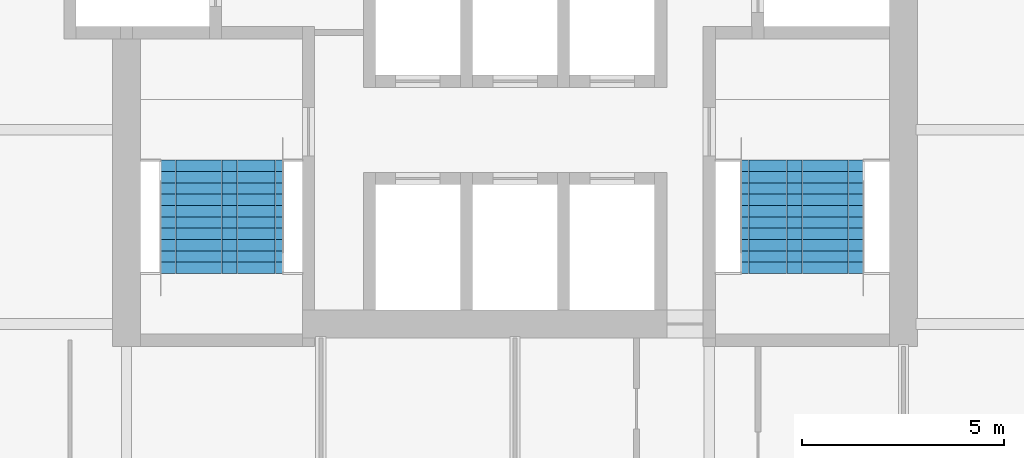
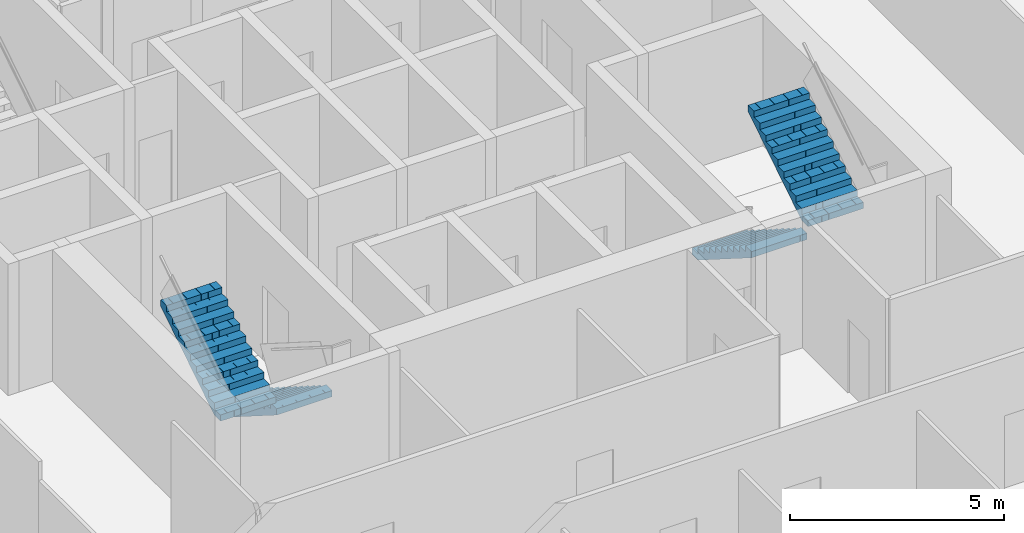
# One storey, part 13 of 16: 4 stair flights, 2 elements without a shape of their own.
"""IFC4 building model written with IfcOpenShell, lengths in metres."""

from ifc_helpers import new_model, si_unit, direction, frame, origin, place, context, subcontext, project, spatial, polyline, outline, extrude, material, type_object, element, aggregate, save


model = new_model("IFC4")

# Units and contexts
model_context = context("Model", 3, precision=1e-05, world=origin(), true_north=direction((0.0, 1.0)))
body_context = subcontext(model_context, "Body", "Model", "MODEL_VIEW")
ifc_project = project(units=[si_unit("LENGTHUNIT", "METRE"), si_unit("AREAUNIT", "SQUARE_METRE"), si_unit("VOLUMEUNIT", "CUBIC_METRE"), si_unit("PLANEANGLEUNIT", "RADIAN"), si_unit("MASSUNIT", "GRAM", prefix="KILO")], contexts=[model_context])

# Site, building, storey
site_placement = place(None, origin())
site = spatial("IfcSite", under=ifc_project, at=site_placement, CompositionType="ELEMENT")
building_placement = place(site_placement, origin())
building = spatial("IfcBuilding", under=site, at=building_placement, Name="Kolab Exchange Tower", CompositionType="ELEMENT")
storey_placement = place(building_placement, frame((0.0, 0.0, 146.60009765625)))
storey = spatial("IfcBuildingStorey", under=building, at=storey_placement, Name="L29", CompositionType="ELEMENT", Elevation=146.60009765625)

# Stair, stair flights
ifc_material = material(Name="Concrete C50/60", Category="concrete")
stair_type_1 = type_object("IfcStairType", Name="STAIR ST3 RISER 177.3", PredefinedType="HALF_TURN_STAIR", material=ifc_material)
stair_1_placement = place(storey_placement, origin())
stair_1 = element("IfcStair", 1, at=stair_1_placement, inside=storey, type_object=stair_type_1, Name="Stair 3", PredefinedType="HALF_TURN_STAIR")
stair_flight_type = type_object("IfcStairFlightType", Name="STAIR FLIGHT 1500 RISER 177.3", PredefinedType="STRAIGHT", material=ifc_material)
stair_flight_1_placement = place(storey_placement, frame((-6.489990234375, -5.550048828125, 0.0), z_axis=(0.0, 0.0, 1.0), x_axis=(0.0, -1.0, 0.0)))
stair_flight_1 = element("IfcStairFlight", 2, at=stair_flight_1_placement, type_object=stair_flight_type, Name="ST3 flight 1", NumberOfRisers=11, NumberOfTreads=10, PredefinedType="STRAIGHT", RiserHeight=0.177272727, TreadLength=0.28, context=body_context, shape_type="SweptSolid", body=[
    extrude(outline(polyline([(0.0, 0.0), (0.0, 0.17724609375), (0.280029296875, 0.17724609375), (0.280029296875, 0.3544921875), (0.56005859375, 0.3544921875), (0.56005859375, 0.53173828125), (0.840087890625, 0.53173828125), (0.840087890625, 0.708984375), (1.1201171875, 0.708984375), (1.1201171875, 0.886474609375), (1.39990234375, 0.886474609375), (1.39990234375, 1.063720703125), (1.679931640625, 1.063720703125), (1.679931640625, 1.240966796875), (1.9599609375, 1.240966796875), (1.9599609375, 1.418212890625), (2.239990234375, 1.418212890625), (2.239990234375, 1.595458984375), (2.52001953125, 1.595458984375), (2.52001953125, 1.772705078125), (2.800048828125, 1.772705078125), (2.800048828125, 1.949951171875), (2.800048828125, 1.59521484375), (0.2802734375, 0.0), (0.0, 0.0)])), frame((0.0, 0.75, 0.0), z_axis=(0.0, -1.0, 0.0), x_axis=(1.0, 0.0, 0.0)), (0.0, 0.0, 1.0), 0.185791015625),
    extrude(outline(polyline([(0.0, 0.0), (0.0, 0.17724609375), (0.280029296875, 0.17724609375), (0.280029296875, 0.3544921875), (0.56005859375, 0.3544921875), (0.56005859375, 0.53173828125), (0.840087890625, 0.53173828125), (0.840087890625, 0.708984375), (1.1201171875, 0.708984375), (1.1201171875, 0.886474609375), (1.39990234375, 0.886474609375), (1.39990234375, 1.063720703125), (1.679931640625, 1.063720703125), (1.679931640625, 1.240966796875), (1.9599609375, 1.240966796875), (1.9599609375, 1.418212890625), (2.239990234375, 1.418212890625), (2.239990234375, 1.595458984375), (2.52001953125, 1.595458984375), (2.52001953125, 1.772705078125), (2.800048828125, 1.772705078125), (2.800048828125, 1.949951171875), (2.800048828125, 1.59521484375), (0.2802734375, 0.0), (0.0, 0.0)])), frame((0.0, 0.562255859375, 0.0), z_axis=(0.0, -1.0, 0.0), x_axis=(1.0, 0.0, 0.0)), (0.0, 0.0, 1.0), 0.185791015625),
    extrude(outline(polyline([(0.0, 0.0), (0.0, 0.17724609375), (0.280029296875, 0.17724609375), (0.280029296875, 0.3544921875), (0.56005859375, 0.3544921875), (0.56005859375, 0.53173828125), (0.840087890625, 0.53173828125), (0.840087890625, 0.708984375), (1.1201171875, 0.708984375), (1.1201171875, 0.886474609375), (1.39990234375, 0.886474609375), (1.39990234375, 1.063720703125), (1.679931640625, 1.063720703125), (1.679931640625, 1.240966796875), (1.9599609375, 1.240966796875), (1.9599609375, 1.418212890625), (2.239990234375, 1.418212890625), (2.239990234375, 1.595458984375), (2.52001953125, 1.595458984375), (2.52001953125, 1.772705078125), (2.800048828125, 1.772705078125), (2.800048828125, 1.949951171875), (2.800048828125, 1.59521484375), (0.2802734375, 0.0), (0.0, 0.0)])), frame((0.0, 0.37451171875, 0.0), z_axis=(0.0, -1.0, 0.0), x_axis=(1.0, 0.0, 0.0)), (0.0, 0.0, 1.0), 0.185791015625),
    extrude(outline(polyline([(0.0, 0.0), (0.0, 0.17724609375), (0.280029296875, 0.17724609375), (0.280029296875, 0.3544921875), (0.56005859375, 0.3544921875), (0.56005859375, 0.53173828125), (0.840087890625, 0.53173828125), (0.840087890625, 0.708984375), (1.1201171875, 0.708984375), (1.1201171875, 0.886474609375), (1.39990234375, 0.886474609375), (1.39990234375, 1.063720703125), (1.679931640625, 1.063720703125), (1.679931640625, 1.240966796875), (1.9599609375, 1.240966796875), (1.9599609375, 1.418212890625), (2.239990234375, 1.418212890625), (2.239990234375, 1.595458984375), (2.52001953125, 1.595458984375), (2.52001953125, 1.772705078125), (2.800048828125, 1.772705078125), (2.800048828125, 1.949951171875), (2.800048828125, 1.59521484375), (0.2802734375, 0.0), (0.0, 0.0)])), frame((0.0, 0.186767578125, 0.0), z_axis=(0.0, -1.0, 0.0), x_axis=(1.0, 0.0, 0.0)), (0.0, 0.0, 1.0), 0.185791015625),
    extrude(outline(polyline([(0.0, 0.0), (0.0, 0.17724609375), (0.280029296875, 0.17724609375), (0.280029296875, 0.3544921875), (0.56005859375, 0.3544921875), (0.56005859375, 0.53173828125), (0.840087890625, 0.53173828125), (0.840087890625, 0.708984375), (1.1201171875, 0.708984375), (1.1201171875, 0.886474609375), (1.39990234375, 0.886474609375), (1.39990234375, 1.063720703125), (1.679931640625, 1.063720703125), (1.679931640625, 1.240966796875), (1.9599609375, 1.240966796875), (1.9599609375, 1.418212890625), (2.239990234375, 1.418212890625), (2.239990234375, 1.595458984375), (2.52001953125, 1.595458984375), (2.52001953125, 1.772705078125), (2.800048828125, 1.772705078125), (2.800048828125, 1.949951171875), (2.800048828125, 1.59521484375), (0.2802734375, 0.0), (0.0, 0.0)])), frame((0.0, -0.0009765625, 0.0), z_axis=(0.0, -1.0, 0.0), x_axis=(1.0, 0.0, 0.0)), (0.0, 0.0, 1.0), 0.185791015625),
    extrude(outline(polyline([(0.0, 0.0), (0.0, 0.17724609375), (0.280029296875, 0.17724609375), (0.280029296875, 0.3544921875), (0.56005859375, 0.3544921875), (0.56005859375, 0.53173828125), (0.840087890625, 0.53173828125), (0.840087890625, 0.708984375), (1.1201171875, 0.708984375), (1.1201171875, 0.886474609375), (1.39990234375, 0.886474609375), (1.39990234375, 1.063720703125), (1.679931640625, 1.063720703125), (1.679931640625, 1.240966796875), (1.9599609375, 1.240966796875), (1.9599609375, 1.418212890625), (2.239990234375, 1.418212890625), (2.239990234375, 1.595458984375), (2.52001953125, 1.595458984375), (2.52001953125, 1.772705078125), (2.800048828125, 1.772705078125), (2.800048828125, 1.949951171875), (2.800048828125, 1.59521484375), (0.2802734375, 0.0), (0.0, 0.0)])), frame((0.0, -0.188720703125, 0.0), z_axis=(0.0, -1.0, 0.0), x_axis=(1.0, 0.0, 0.0)), (0.0, 0.0, 1.0), 0.185791015625),
    extrude(outline(polyline([(0.0, 0.0), (0.0, 0.17724609375), (0.280029296875, 0.17724609375), (0.280029296875, 0.3544921875), (0.56005859375, 0.3544921875), (0.56005859375, 0.53173828125), (0.840087890625, 0.53173828125), (0.840087890625, 0.708984375), (1.1201171875, 0.708984375), (1.1201171875, 0.886474609375), (1.39990234375, 0.886474609375), (1.39990234375, 1.063720703125), (1.679931640625, 1.063720703125), (1.679931640625, 1.240966796875), (1.9599609375, 1.240966796875), (1.9599609375, 1.418212890625), (2.239990234375, 1.418212890625), (2.239990234375, 1.595458984375), (2.52001953125, 1.595458984375), (2.52001953125, 1.772705078125), (2.800048828125, 1.772705078125), (2.800048828125, 1.949951171875), (2.800048828125, 1.59521484375), (0.2802734375, 0.0), (0.0, 0.0)])), frame((0.0, -0.37646484375, 0.0), z_axis=(0.0, -1.0, 0.0), x_axis=(1.0, 0.0, 0.0)), (0.0, 0.0, 1.0), 0.185791015625),
    extrude(outline(polyline([(0.0, 0.0), (0.0, 0.17724609375), (0.280029296875, 0.17724609375), (0.280029296875, 0.3544921875), (0.56005859375, 0.3544921875), (0.56005859375, 0.53173828125), (0.840087890625, 0.53173828125), (0.840087890625, 0.708984375), (1.1201171875, 0.708984375), (1.1201171875, 0.886474609375), (1.39990234375, 0.886474609375), (1.39990234375, 1.063720703125), (1.679931640625, 1.063720703125), (1.679931640625, 1.240966796875), (1.9599609375, 1.240966796875), (1.9599609375, 1.418212890625), (2.239990234375, 1.418212890625), (2.239990234375, 1.595458984375), (2.52001953125, 1.595458984375), (2.52001953125, 1.772705078125), (2.800048828125, 1.772705078125), (2.800048828125, 1.949951171875), (2.800048828125, 1.59521484375), (0.2802734375, 0.0), (0.0, 0.0)])), frame((0.0, -0.564208984375, 0.0), z_axis=(0.0, -1.0, 0.0), x_axis=(1.0, 0.0, 0.0)), (0.0, 0.0, 1.0), 0.185791015625),
])
stair_flight_2_placement = place(storey_placement, frame((-8.010009765625, -8.35009765625, 1.949951171875), z_axis=(0.0, 0.0, 1.0), x_axis=(0.0, 1.0, 0.0)))
stair_flight_2 = element("IfcStairFlight", 3, at=stair_flight_2_placement, type_object=stair_flight_type, Name="ST3 flight 2", NumberOfRisers=11, NumberOfTreads=10, PredefinedType="STRAIGHT", RiserHeight=0.177272727, TreadLength=0.28, context=body_context, shape_type="SweptSolid", body=[
    extrude(outline(polyline([(0.0, 0.0), (0.0, 0.17724609375), (0.280029296875, 0.17724609375), (0.280029296875, 0.3544921875), (0.56005859375, 0.3544921875), (0.56005859375, 0.53173828125), (0.840087890625, 0.53173828125), (0.840087890625, 0.708984375), (1.1201171875, 0.708984375), (1.1201171875, 0.886474609375), (1.39990234375, 0.886474609375), (1.39990234375, 1.063720703125), (1.679931640625, 1.063720703125), (1.679931640625, 1.240966796875), (1.9599609375, 1.240966796875), (1.9599609375, 1.418212890625), (2.239990234375, 1.418212890625), (2.239990234375, 1.595458984375), (2.52001953125, 1.595458984375), (2.52001953125, 1.772705078125), (2.800048828125, 1.772705078125), (2.800048828125, 1.949951171875), (2.800048828125, 1.59521484375), (0.2802734375, 0.0), (0.0, 0.0)])), frame((0.0, 0.75, 0.0), z_axis=(0.0, -1.0, 0.0), x_axis=(1.0, 0.0, 0.0)), (0.0, 0.0, 1.0), 0.185791015625),
    extrude(outline(polyline([(0.0, 0.0), (0.0, 0.17724609375), (0.280029296875, 0.17724609375), (0.280029296875, 0.3544921875), (0.56005859375, 0.3544921875), (0.56005859375, 0.53173828125), (0.840087890625, 0.53173828125), (0.840087890625, 0.708984375), (1.1201171875, 0.708984375), (1.1201171875, 0.886474609375), (1.39990234375, 0.886474609375), (1.39990234375, 1.063720703125), (1.679931640625, 1.063720703125), (1.679931640625, 1.240966796875), (1.9599609375, 1.240966796875), (1.9599609375, 1.418212890625), (2.239990234375, 1.418212890625), (2.239990234375, 1.595458984375), (2.52001953125, 1.595458984375), (2.52001953125, 1.772705078125), (2.800048828125, 1.772705078125), (2.800048828125, 1.949951171875), (2.800048828125, 1.59521484375), (0.2802734375, 0.0), (0.0, 0.0)])), frame((0.0, 0.562255859375, 0.0), z_axis=(0.0, -1.0, 0.0), x_axis=(1.0, 0.0, 0.0)), (0.0, 0.0, 1.0), 0.185791015625),
    extrude(outline(polyline([(0.0, 0.0), (0.0, 0.17724609375), (0.280029296875, 0.17724609375), (0.280029296875, 0.3544921875), (0.56005859375, 0.3544921875), (0.56005859375, 0.53173828125), (0.840087890625, 0.53173828125), (0.840087890625, 0.708984375), (1.1201171875, 0.708984375), (1.1201171875, 0.886474609375), (1.39990234375, 0.886474609375), (1.39990234375, 1.063720703125), (1.679931640625, 1.063720703125), (1.679931640625, 1.240966796875), (1.9599609375, 1.240966796875), (1.9599609375, 1.418212890625), (2.239990234375, 1.418212890625), (2.239990234375, 1.595458984375), (2.52001953125, 1.595458984375), (2.52001953125, 1.772705078125), (2.800048828125, 1.772705078125), (2.800048828125, 1.949951171875), (2.800048828125, 1.59521484375), (0.2802734375, 0.0), (0.0, 0.0)])), frame((0.0, 0.37451171875, 0.0), z_axis=(0.0, -1.0, 0.0), x_axis=(1.0, 0.0, 0.0)), (0.0, 0.0, 1.0), 0.185791015625),
    extrude(outline(polyline([(0.0, 0.0), (0.0, 0.17724609375), (0.280029296875, 0.17724609375), (0.280029296875, 0.3544921875), (0.56005859375, 0.3544921875), (0.56005859375, 0.53173828125), (0.840087890625, 0.53173828125), (0.840087890625, 0.708984375), (1.1201171875, 0.708984375), (1.1201171875, 0.886474609375), (1.39990234375, 0.886474609375), (1.39990234375, 1.063720703125), (1.679931640625, 1.063720703125), (1.679931640625, 1.240966796875), (1.9599609375, 1.240966796875), (1.9599609375, 1.418212890625), (2.239990234375, 1.418212890625), (2.239990234375, 1.595458984375), (2.52001953125, 1.595458984375), (2.52001953125, 1.772705078125), (2.800048828125, 1.772705078125), (2.800048828125, 1.949951171875), (2.800048828125, 1.59521484375), (0.2802734375, 0.0), (0.0, 0.0)])), frame((0.0, 0.186767578125, 0.0), z_axis=(0.0, -1.0, 0.0), x_axis=(1.0, 0.0, 0.0)), (0.0, 0.0, 1.0), 0.185791015625),
    extrude(outline(polyline([(0.0, 0.0), (0.0, 0.17724609375), (0.280029296875, 0.17724609375), (0.280029296875, 0.3544921875), (0.56005859375, 0.3544921875), (0.56005859375, 0.53173828125), (0.840087890625, 0.53173828125), (0.840087890625, 0.708984375), (1.1201171875, 0.708984375), (1.1201171875, 0.886474609375), (1.39990234375, 0.886474609375), (1.39990234375, 1.063720703125), (1.679931640625, 1.063720703125), (1.679931640625, 1.240966796875), (1.9599609375, 1.240966796875), (1.9599609375, 1.418212890625), (2.239990234375, 1.418212890625), (2.239990234375, 1.595458984375), (2.52001953125, 1.595458984375), (2.52001953125, 1.772705078125), (2.800048828125, 1.772705078125), (2.800048828125, 1.949951171875), (2.800048828125, 1.59521484375), (0.2802734375, 0.0), (0.0, 0.0)])), frame((0.0, -0.0009765625, 0.0), z_axis=(0.0, -1.0, 0.0), x_axis=(1.0, 0.0, 0.0)), (0.0, 0.0, 1.0), 0.185791015625),
    extrude(outline(polyline([(0.0, 0.0), (0.0, 0.17724609375), (0.280029296875, 0.17724609375), (0.280029296875, 0.3544921875), (0.56005859375, 0.3544921875), (0.56005859375, 0.53173828125), (0.840087890625, 0.53173828125), (0.840087890625, 0.708984375), (1.1201171875, 0.708984375), (1.1201171875, 0.886474609375), (1.39990234375, 0.886474609375), (1.39990234375, 1.063720703125), (1.679931640625, 1.063720703125), (1.679931640625, 1.240966796875), (1.9599609375, 1.240966796875), (1.9599609375, 1.418212890625), (2.239990234375, 1.418212890625), (2.239990234375, 1.595458984375), (2.52001953125, 1.595458984375), (2.52001953125, 1.772705078125), (2.800048828125, 1.772705078125), (2.800048828125, 1.949951171875), (2.800048828125, 1.59521484375), (0.2802734375, 0.0), (0.0, 0.0)])), frame((0.0, -0.188720703125, 0.0), z_axis=(0.0, -1.0, 0.0), x_axis=(1.0, 0.0, 0.0)), (0.0, 0.0, 1.0), 0.185791015625),
    extrude(outline(polyline([(0.0, 0.0), (0.0, 0.17724609375), (0.280029296875, 0.17724609375), (0.280029296875, 0.3544921875), (0.56005859375, 0.3544921875), (0.56005859375, 0.53173828125), (0.840087890625, 0.53173828125), (0.840087890625, 0.708984375), (1.1201171875, 0.708984375), (1.1201171875, 0.886474609375), (1.39990234375, 0.886474609375), (1.39990234375, 1.063720703125), (1.679931640625, 1.063720703125), (1.679931640625, 1.240966796875), (1.9599609375, 1.240966796875), (1.9599609375, 1.418212890625), (2.239990234375, 1.418212890625), (2.239990234375, 1.595458984375), (2.52001953125, 1.595458984375), (2.52001953125, 1.772705078125), (2.800048828125, 1.772705078125), (2.800048828125, 1.949951171875), (2.800048828125, 1.59521484375), (0.2802734375, 0.0), (0.0, 0.0)])), frame((0.0, -0.37646484375, 0.0), z_axis=(0.0, -1.0, 0.0), x_axis=(1.0, 0.0, 0.0)), (0.0, 0.0, 1.0), 0.185791015625),
    extrude(outline(polyline([(0.0, 0.0), (0.0, 0.17724609375), (0.280029296875, 0.17724609375), (0.280029296875, 0.3544921875), (0.56005859375, 0.3544921875), (0.56005859375, 0.53173828125), (0.840087890625, 0.53173828125), (0.840087890625, 0.708984375), (1.1201171875, 0.708984375), (1.1201171875, 0.886474609375), (1.39990234375, 0.886474609375), (1.39990234375, 1.063720703125), (1.679931640625, 1.063720703125), (1.679931640625, 1.240966796875), (1.9599609375, 1.240966796875), (1.9599609375, 1.418212890625), (2.239990234375, 1.418212890625), (2.239990234375, 1.595458984375), (2.52001953125, 1.595458984375), (2.52001953125, 1.772705078125), (2.800048828125, 1.772705078125), (2.800048828125, 1.949951171875), (2.800048828125, 1.59521484375), (0.2802734375, 0.0), (0.0, 0.0)])), frame((0.0, -0.564208984375, 0.0), z_axis=(0.0, -1.0, 0.0), x_axis=(1.0, 0.0, 0.0)), (0.0, 0.0, 1.0), 0.185791015625),
])
aggregate(stair_1, [stair_flight_1, stair_flight_2])

stair_type_2 = type_object("IfcStairType", Name="STAIR ST2 RISER 177.3", PredefinedType="HALF_TURN_STAIR", material=ifc_material)
stair_2_placement = place(storey_placement, origin())
stair_2 = element("IfcStair", 4, at=stair_2_placement, inside=storey, type_object=stair_type_2, Name="Stair 2", PredefinedType="HALF_TURN_STAIR")
stair_flight_3_placement = place(storey_placement, frame((6.340087890625, -5.550048828125, 0.0), z_axis=(0.0, 0.0, 1.0), x_axis=(0.0, -1.0, 0.0)))
stair_flight_3 = element("IfcStairFlight", 5, at=stair_flight_3_placement, type_object=stair_flight_type, Name="ST2 flight 1", NumberOfRisers=11, NumberOfTreads=10, PredefinedType="STRAIGHT", RiserHeight=0.177272727, TreadLength=0.28, context=body_context, shape_type="SweptSolid", body=[
    extrude(outline(polyline([(0.0, 0.0), (0.0, 0.17724609375), (0.280029296875, 0.17724609375), (0.280029296875, 0.3544921875), (0.56005859375, 0.3544921875), (0.56005859375, 0.53173828125), (0.840087890625, 0.53173828125), (0.840087890625, 0.708984375), (1.1201171875, 0.708984375), (1.1201171875, 0.886474609375), (1.39990234375, 0.886474609375), (1.39990234375, 1.063720703125), (1.679931640625, 1.063720703125), (1.679931640625, 1.240966796875), (1.9599609375, 1.240966796875), (1.9599609375, 1.418212890625), (2.239990234375, 1.418212890625), (2.239990234375, 1.595458984375), (2.52001953125, 1.595458984375), (2.52001953125, 1.772705078125), (2.800048828125, 1.772705078125), (2.800048828125, 1.949951171875), (2.800048828125, 1.59521484375), (0.2802734375, 0.0), (0.0, 0.0)])), frame((0.0, 0.75, 0.0), z_axis=(0.0, -1.0, 0.0), x_axis=(1.0, 0.0, 0.0)), (0.0, 0.0, 1.0), 0.185791015625),
    extrude(outline(polyline([(0.0, 0.0), (0.0, 0.17724609375), (0.280029296875, 0.17724609375), (0.280029296875, 0.3544921875), (0.56005859375, 0.3544921875), (0.56005859375, 0.53173828125), (0.840087890625, 0.53173828125), (0.840087890625, 0.708984375), (1.1201171875, 0.708984375), (1.1201171875, 0.886474609375), (1.39990234375, 0.886474609375), (1.39990234375, 1.063720703125), (1.679931640625, 1.063720703125), (1.679931640625, 1.240966796875), (1.9599609375, 1.240966796875), (1.9599609375, 1.418212890625), (2.239990234375, 1.418212890625), (2.239990234375, 1.595458984375), (2.52001953125, 1.595458984375), (2.52001953125, 1.772705078125), (2.800048828125, 1.772705078125), (2.800048828125, 1.949951171875), (2.800048828125, 1.59521484375), (0.2802734375, 0.0), (0.0, 0.0)])), frame((0.0, 0.562255859375, 0.0), z_axis=(0.0, -1.0, 0.0), x_axis=(1.0, 0.0, 0.0)), (0.0, 0.0, 1.0), 0.185791015625),
    extrude(outline(polyline([(0.0, 0.0), (0.0, 0.17724609375), (0.280029296875, 0.17724609375), (0.280029296875, 0.3544921875), (0.56005859375, 0.3544921875), (0.56005859375, 0.53173828125), (0.840087890625, 0.53173828125), (0.840087890625, 0.708984375), (1.1201171875, 0.708984375), (1.1201171875, 0.886474609375), (1.39990234375, 0.886474609375), (1.39990234375, 1.063720703125), (1.679931640625, 1.063720703125), (1.679931640625, 1.240966796875), (1.9599609375, 1.240966796875), (1.9599609375, 1.418212890625), (2.239990234375, 1.418212890625), (2.239990234375, 1.595458984375), (2.52001953125, 1.595458984375), (2.52001953125, 1.772705078125), (2.800048828125, 1.772705078125), (2.800048828125, 1.949951171875), (2.800048828125, 1.59521484375), (0.2802734375, 0.0), (0.0, 0.0)])), frame((0.0, 0.37451171875, 0.0), z_axis=(0.0, -1.0, 0.0), x_axis=(1.0, 0.0, 0.0)), (0.0, 0.0, 1.0), 0.185791015625),
    extrude(outline(polyline([(0.0, 0.0), (0.0, 0.17724609375), (0.280029296875, 0.17724609375), (0.280029296875, 0.3544921875), (0.56005859375, 0.3544921875), (0.56005859375, 0.53173828125), (0.840087890625, 0.53173828125), (0.840087890625, 0.708984375), (1.1201171875, 0.708984375), (1.1201171875, 0.886474609375), (1.39990234375, 0.886474609375), (1.39990234375, 1.063720703125), (1.679931640625, 1.063720703125), (1.679931640625, 1.240966796875), (1.9599609375, 1.240966796875), (1.9599609375, 1.418212890625), (2.239990234375, 1.418212890625), (2.239990234375, 1.595458984375), (2.52001953125, 1.595458984375), (2.52001953125, 1.772705078125), (2.800048828125, 1.772705078125), (2.800048828125, 1.949951171875), (2.800048828125, 1.59521484375), (0.2802734375, 0.0), (0.0, 0.0)])), frame((0.0, 0.186767578125, 0.0), z_axis=(0.0, -1.0, 0.0), x_axis=(1.0, 0.0, 0.0)), (0.0, 0.0, 1.0), 0.185791015625),
    extrude(outline(polyline([(0.0, 0.0), (0.0, 0.17724609375), (0.280029296875, 0.17724609375), (0.280029296875, 0.3544921875), (0.56005859375, 0.3544921875), (0.56005859375, 0.53173828125), (0.840087890625, 0.53173828125), (0.840087890625, 0.708984375), (1.1201171875, 0.708984375), (1.1201171875, 0.886474609375), (1.39990234375, 0.886474609375), (1.39990234375, 1.063720703125), (1.679931640625, 1.063720703125), (1.679931640625, 1.240966796875), (1.9599609375, 1.240966796875), (1.9599609375, 1.418212890625), (2.239990234375, 1.418212890625), (2.239990234375, 1.595458984375), (2.52001953125, 1.595458984375), (2.52001953125, 1.772705078125), (2.800048828125, 1.772705078125), (2.800048828125, 1.949951171875), (2.800048828125, 1.59521484375), (0.2802734375, 0.0), (0.0, 0.0)])), frame((0.0, -0.0009765625, 0.0), z_axis=(0.0, -1.0, 0.0), x_axis=(1.0, 0.0, 0.0)), (0.0, 0.0, 1.0), 0.185791015625),
    extrude(outline(polyline([(0.0, 0.0), (0.0, 0.17724609375), (0.280029296875, 0.17724609375), (0.280029296875, 0.3544921875), (0.56005859375, 0.3544921875), (0.56005859375, 0.53173828125), (0.840087890625, 0.53173828125), (0.840087890625, 0.708984375), (1.1201171875, 0.708984375), (1.1201171875, 0.886474609375), (1.39990234375, 0.886474609375), (1.39990234375, 1.063720703125), (1.679931640625, 1.063720703125), (1.679931640625, 1.240966796875), (1.9599609375, 1.240966796875), (1.9599609375, 1.418212890625), (2.239990234375, 1.418212890625), (2.239990234375, 1.595458984375), (2.52001953125, 1.595458984375), (2.52001953125, 1.772705078125), (2.800048828125, 1.772705078125), (2.800048828125, 1.949951171875), (2.800048828125, 1.59521484375), (0.2802734375, 0.0), (0.0, 0.0)])), frame((0.0, -0.188720703125, 0.0), z_axis=(0.0, -1.0, 0.0), x_axis=(1.0, 0.0, 0.0)), (0.0, 0.0, 1.0), 0.185791015625),
    extrude(outline(polyline([(0.0, 0.0), (0.0, 0.17724609375), (0.280029296875, 0.17724609375), (0.280029296875, 0.3544921875), (0.56005859375, 0.3544921875), (0.56005859375, 0.53173828125), (0.840087890625, 0.53173828125), (0.840087890625, 0.708984375), (1.1201171875, 0.708984375), (1.1201171875, 0.886474609375), (1.39990234375, 0.886474609375), (1.39990234375, 1.063720703125), (1.679931640625, 1.063720703125), (1.679931640625, 1.240966796875), (1.9599609375, 1.240966796875), (1.9599609375, 1.418212890625), (2.239990234375, 1.418212890625), (2.239990234375, 1.595458984375), (2.52001953125, 1.595458984375), (2.52001953125, 1.772705078125), (2.800048828125, 1.772705078125), (2.800048828125, 1.949951171875), (2.800048828125, 1.59521484375), (0.2802734375, 0.0), (0.0, 0.0)])), frame((0.0, -0.37646484375, 0.0), z_axis=(0.0, -1.0, 0.0), x_axis=(1.0, 0.0, 0.0)), (0.0, 0.0, 1.0), 0.185791015625),
    extrude(outline(polyline([(0.0, 0.0), (0.0, 0.17724609375), (0.280029296875, 0.17724609375), (0.280029296875, 0.3544921875), (0.56005859375, 0.3544921875), (0.56005859375, 0.53173828125), (0.840087890625, 0.53173828125), (0.840087890625, 0.708984375), (1.1201171875, 0.708984375), (1.1201171875, 0.886474609375), (1.39990234375, 0.886474609375), (1.39990234375, 1.063720703125), (1.679931640625, 1.063720703125), (1.679931640625, 1.240966796875), (1.9599609375, 1.240966796875), (1.9599609375, 1.418212890625), (2.239990234375, 1.418212890625), (2.239990234375, 1.595458984375), (2.52001953125, 1.595458984375), (2.52001953125, 1.772705078125), (2.800048828125, 1.772705078125), (2.800048828125, 1.949951171875), (2.800048828125, 1.59521484375), (0.2802734375, 0.0), (0.0, 0.0)])), frame((0.0, -0.564208984375, 0.0), z_axis=(0.0, -1.0, 0.0), x_axis=(1.0, 0.0, 0.0)), (0.0, 0.0, 1.0), 0.185791015625),
])
stair_flight_4_placement = place(storey_placement, frame((7.860107421875, -8.35009765625, 1.949951171875), z_axis=(0.0, 0.0, 1.0), x_axis=(0.0, 1.0, 0.0)))
stair_flight_4 = element("IfcStairFlight", 6, at=stair_flight_4_placement, type_object=stair_flight_type, Name="ST2 flight 2", NumberOfRisers=11, NumberOfTreads=10, PredefinedType="STRAIGHT", RiserHeight=0.177272727, TreadLength=0.28, context=body_context, shape_type="SweptSolid", body=[
    extrude(outline(polyline([(0.0, 0.0), (0.0, 0.17724609375), (0.280029296875, 0.17724609375), (0.280029296875, 0.3544921875), (0.56005859375, 0.3544921875), (0.56005859375, 0.53173828125), (0.840087890625, 0.53173828125), (0.840087890625, 0.708984375), (1.1201171875, 0.708984375), (1.1201171875, 0.886474609375), (1.39990234375, 0.886474609375), (1.39990234375, 1.063720703125), (1.679931640625, 1.063720703125), (1.679931640625, 1.240966796875), (1.9599609375, 1.240966796875), (1.9599609375, 1.418212890625), (2.239990234375, 1.418212890625), (2.239990234375, 1.595458984375), (2.52001953125, 1.595458984375), (2.52001953125, 1.772705078125), (2.800048828125, 1.772705078125), (2.800048828125, 1.949951171875), (2.800048828125, 1.59521484375), (0.2802734375, 0.0), (0.0, 0.0)])), frame((0.0, 0.75, 0.0), z_axis=(0.0, -1.0, 0.0), x_axis=(1.0, 0.0, 0.0)), (0.0, 0.0, 1.0), 0.185791015625),
    extrude(outline(polyline([(0.0, 0.0), (0.0, 0.17724609375), (0.280029296875, 0.17724609375), (0.280029296875, 0.3544921875), (0.56005859375, 0.3544921875), (0.56005859375, 0.53173828125), (0.840087890625, 0.53173828125), (0.840087890625, 0.708984375), (1.1201171875, 0.708984375), (1.1201171875, 0.886474609375), (1.39990234375, 0.886474609375), (1.39990234375, 1.063720703125), (1.679931640625, 1.063720703125), (1.679931640625, 1.240966796875), (1.9599609375, 1.240966796875), (1.9599609375, 1.418212890625), (2.239990234375, 1.418212890625), (2.239990234375, 1.595458984375), (2.52001953125, 1.595458984375), (2.52001953125, 1.772705078125), (2.800048828125, 1.772705078125), (2.800048828125, 1.949951171875), (2.800048828125, 1.59521484375), (0.2802734375, 0.0), (0.0, 0.0)])), frame((0.0, 0.562255859375, 0.0), z_axis=(0.0, -1.0, 0.0), x_axis=(1.0, 0.0, 0.0)), (0.0, 0.0, 1.0), 0.185791015625),
    extrude(outline(polyline([(0.0, 0.0), (0.0, 0.17724609375), (0.280029296875, 0.17724609375), (0.280029296875, 0.3544921875), (0.56005859375, 0.3544921875), (0.56005859375, 0.53173828125), (0.840087890625, 0.53173828125), (0.840087890625, 0.708984375), (1.1201171875, 0.708984375), (1.1201171875, 0.886474609375), (1.39990234375, 0.886474609375), (1.39990234375, 1.063720703125), (1.679931640625, 1.063720703125), (1.679931640625, 1.240966796875), (1.9599609375, 1.240966796875), (1.9599609375, 1.418212890625), (2.239990234375, 1.418212890625), (2.239990234375, 1.595458984375), (2.52001953125, 1.595458984375), (2.52001953125, 1.772705078125), (2.800048828125, 1.772705078125), (2.800048828125, 1.949951171875), (2.800048828125, 1.59521484375), (0.2802734375, 0.0), (0.0, 0.0)])), frame((0.0, 0.37451171875, 0.0), z_axis=(0.0, -1.0, 0.0), x_axis=(1.0, 0.0, 0.0)), (0.0, 0.0, 1.0), 0.185791015625),
    extrude(outline(polyline([(0.0, 0.0), (0.0, 0.17724609375), (0.280029296875, 0.17724609375), (0.280029296875, 0.3544921875), (0.56005859375, 0.3544921875), (0.56005859375, 0.53173828125), (0.840087890625, 0.53173828125), (0.840087890625, 0.708984375), (1.1201171875, 0.708984375), (1.1201171875, 0.886474609375), (1.39990234375, 0.886474609375), (1.39990234375, 1.063720703125), (1.679931640625, 1.063720703125), (1.679931640625, 1.240966796875), (1.9599609375, 1.240966796875), (1.9599609375, 1.418212890625), (2.239990234375, 1.418212890625), (2.239990234375, 1.595458984375), (2.52001953125, 1.595458984375), (2.52001953125, 1.772705078125), (2.800048828125, 1.772705078125), (2.800048828125, 1.949951171875), (2.800048828125, 1.59521484375), (0.2802734375, 0.0), (0.0, 0.0)])), frame((0.0, 0.186767578125, 0.0), z_axis=(0.0, -1.0, 0.0), x_axis=(1.0, 0.0, 0.0)), (0.0, 0.0, 1.0), 0.185791015625),
    extrude(outline(polyline([(0.0, 0.0), (0.0, 0.17724609375), (0.280029296875, 0.17724609375), (0.280029296875, 0.3544921875), (0.56005859375, 0.3544921875), (0.56005859375, 0.53173828125), (0.840087890625, 0.53173828125), (0.840087890625, 0.708984375), (1.1201171875, 0.708984375), (1.1201171875, 0.886474609375), (1.39990234375, 0.886474609375), (1.39990234375, 1.063720703125), (1.679931640625, 1.063720703125), (1.679931640625, 1.240966796875), (1.9599609375, 1.240966796875), (1.9599609375, 1.418212890625), (2.239990234375, 1.418212890625), (2.239990234375, 1.595458984375), (2.52001953125, 1.595458984375), (2.52001953125, 1.772705078125), (2.800048828125, 1.772705078125), (2.800048828125, 1.949951171875), (2.800048828125, 1.59521484375), (0.2802734375, 0.0), (0.0, 0.0)])), frame((0.0, -0.0009765625, 0.0), z_axis=(0.0, -1.0, 0.0), x_axis=(1.0, 0.0, 0.0)), (0.0, 0.0, 1.0), 0.185791015625),
    extrude(outline(polyline([(0.0, 0.0), (0.0, 0.17724609375), (0.280029296875, 0.17724609375), (0.280029296875, 0.3544921875), (0.56005859375, 0.3544921875), (0.56005859375, 0.53173828125), (0.840087890625, 0.53173828125), (0.840087890625, 0.708984375), (1.1201171875, 0.708984375), (1.1201171875, 0.886474609375), (1.39990234375, 0.886474609375), (1.39990234375, 1.063720703125), (1.679931640625, 1.063720703125), (1.679931640625, 1.240966796875), (1.9599609375, 1.240966796875), (1.9599609375, 1.418212890625), (2.239990234375, 1.418212890625), (2.239990234375, 1.595458984375), (2.52001953125, 1.595458984375), (2.52001953125, 1.772705078125), (2.800048828125, 1.772705078125), (2.800048828125, 1.949951171875), (2.800048828125, 1.59521484375), (0.2802734375, 0.0), (0.0, 0.0)])), frame((0.0, -0.188720703125, 0.0), z_axis=(0.0, -1.0, 0.0), x_axis=(1.0, 0.0, 0.0)), (0.0, 0.0, 1.0), 0.185791015625),
    extrude(outline(polyline([(0.0, 0.0), (0.0, 0.17724609375), (0.280029296875, 0.17724609375), (0.280029296875, 0.3544921875), (0.56005859375, 0.3544921875), (0.56005859375, 0.53173828125), (0.840087890625, 0.53173828125), (0.840087890625, 0.708984375), (1.1201171875, 0.708984375), (1.1201171875, 0.886474609375), (1.39990234375, 0.886474609375), (1.39990234375, 1.063720703125), (1.679931640625, 1.063720703125), (1.679931640625, 1.240966796875), (1.9599609375, 1.240966796875), (1.9599609375, 1.418212890625), (2.239990234375, 1.418212890625), (2.239990234375, 1.595458984375), (2.52001953125, 1.595458984375), (2.52001953125, 1.772705078125), (2.800048828125, 1.772705078125), (2.800048828125, 1.949951171875), (2.800048828125, 1.59521484375), (0.2802734375, 0.0), (0.0, 0.0)])), frame((0.0, -0.37646484375, 0.0), z_axis=(0.0, -1.0, 0.0), x_axis=(1.0, 0.0, 0.0)), (0.0, 0.0, 1.0), 0.185791015625),
    extrude(outline(polyline([(0.0, 0.0), (0.0, 0.17724609375), (0.280029296875, 0.17724609375), (0.280029296875, 0.3544921875), (0.56005859375, 0.3544921875), (0.56005859375, 0.53173828125), (0.840087890625, 0.53173828125), (0.840087890625, 0.708984375), (1.1201171875, 0.708984375), (1.1201171875, 0.886474609375), (1.39990234375, 0.886474609375), (1.39990234375, 1.063720703125), (1.679931640625, 1.063720703125), (1.679931640625, 1.240966796875), (1.9599609375, 1.240966796875), (1.9599609375, 1.418212890625), (2.239990234375, 1.418212890625), (2.239990234375, 1.595458984375), (2.52001953125, 1.595458984375), (2.52001953125, 1.772705078125), (2.800048828125, 1.772705078125), (2.800048828125, 1.949951171875), (2.800048828125, 1.59521484375), (0.2802734375, 0.0), (0.0, 0.0)])), frame((0.0, -0.564208984375, 0.0), z_axis=(0.0, -1.0, 0.0), x_axis=(1.0, 0.0, 0.0)), (0.0, 0.0, 1.0), 0.185791015625),
])
aggregate(stair_2, [stair_flight_3, stair_flight_4])

save(model, "model.ifc")
